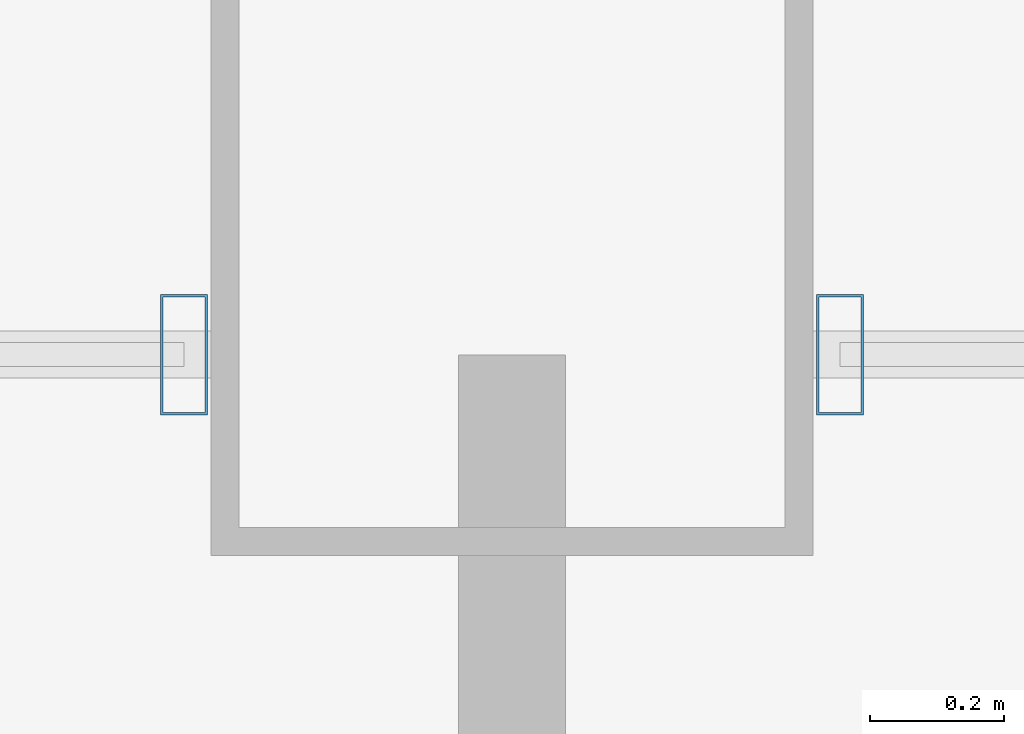
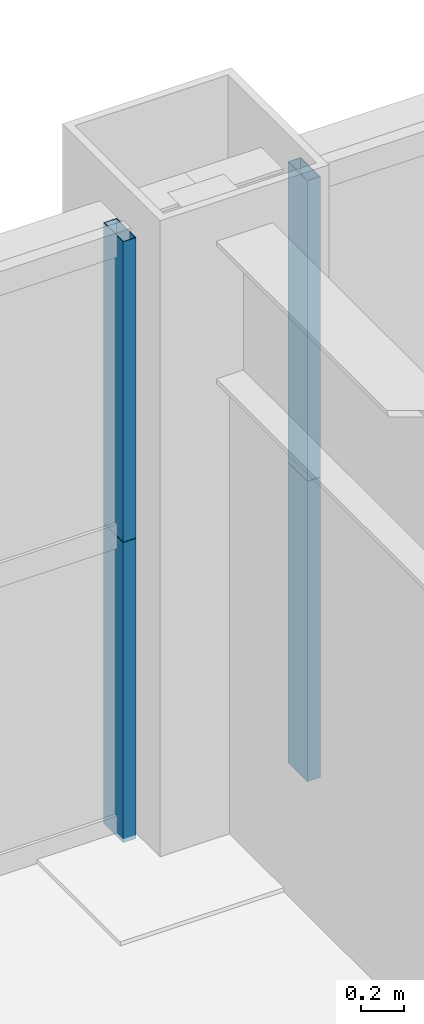
# One storey, part 29 of 45: 4 members, 2 elements without a shape of their own.
"""IFC4 building model written with IfcOpenShell, lengths in metres."""

import ifcopenshell
import ifcopenshell.guid

model = None  # the IFC model being written
_history = None  # IfcOwnerHistory: only IFC2X3 demands one
_inside = {}  # id of a spatial element -> (the spatial element, [elements in it])
_under = {}  # id of a project, library or spatial element -> (it, [spatial elements below it])
_declared = {}  # id of a project -> (the project, [libraries it declares])
_typed = {}  # id of a type object -> (the type object, [elements of that type])
_made_of = {}  # id of a material, layer set ... -> (it, [elements and type objects made of it])


def new_model(schema):
    """Start an empty IFC model of exactly this schema.

    Asked for "IFC4X3", IfcOpenShell would pick the latest addendum, in which some entities
    have other attributes; the version numbers below select the first issue.
    IFC2X3 requires an IfcOwnerHistory on every rooted entity: one is made here for all.
    """
    global model, _history
    if schema == "IFC4X3":
        model = ifcopenshell.file(schema_version=(4, 3, 0, 0))
    else:
        model = ifcopenshell.file(schema=schema)
    _inside.clear()
    _under.clear()
    _declared.clear()
    _typed.clear()
    _made_of.clear()
    _history = None
    if model.schema == "IFC2X3":
        org = make("IfcOrganization", Name="unknown")
        user = make(
            "IfcPersonAndOrganization",
            ThePerson=make("IfcPerson", FamilyName="unknown"),
            TheOrganization=org,
        )
        app = make(
            "IfcApplication",
            ApplicationDeveloper=org,
            Version="unknown",
            ApplicationFullName="unknown",
            ApplicationIdentifier="unknown",
        )
        _history = make(
            "IfcOwnerHistory",
            OwningUser=user,
            OwningApplication=app,
            ChangeAction="ADDED",
            CreationDate=0,
        )
    return model


def make(cls, **values):
    """One entity of the class cls with the attributes given. An attribute that is None is left unset."""
    return model.create_entity(
        cls, **{name: value for name, value in values.items() if value is not None}
    )


def rooted(cls, **values):
    """An entity with a GlobalId (a new one), such as an element, a storey or a relation."""
    return make(cls, GlobalId=ifcopenshell.guid.new(), OwnerHistory=_history, **values)


def si_unit(unit_type, name, prefix=None):
    """IfcSIUnit, for example si_unit("LENGTHUNIT", "METRE", prefix="MILLI")."""
    return make("IfcSIUnit", UnitType=unit_type, Prefix=prefix, Name=name)


def assignment(units):
    """IfcUnitAssignment: the units of a project."""
    return None if units is None else make("IfcUnitAssignment", Units=units)


def point(xyz):
    """IfcCartesianPoint."""
    return None if xyz is None else make("IfcCartesianPoint", Coordinates=xyz)


def direction(xyz):
    """IfcDirection."""
    return None if xyz is None else make("IfcDirection", DirectionRatios=xyz)


def frame(location, z_axis=None, x_axis=None):
    """IfcAxis2Placement3D, a coordinate frame: its origin and axes. An axis left out is left unset."""
    return make(
        "IfcAxis2Placement3D",
        Location=point(location),
        Axis=direction(z_axis),
        RefDirection=direction(x_axis),
    )


def frame_2d(location, x_axis=None):
    """IfcAxis2Placement2D, a coordinate frame in the plane: its origin and x axis."""
    return make(
        "IfcAxis2Placement2D", Location=point(location), RefDirection=direction(x_axis)
    )


def origin():
    """The frame at (0, 0, 0) with its axes left unset."""
    return frame((0.0, 0.0, 0.0))


def origin_2d():
    """The frame at (0, 0) in the plane with its x axis left unset."""
    return frame_2d((0.0, 0.0))


def place(relative_to, where):
    """IfcLocalPlacement: puts the frame where relative to a parent placement (None: the world)."""
    return make(
        "IfcLocalPlacement", PlacementRelTo=relative_to, RelativePlacement=where
    )


def context(
    kind, dimensions, precision=None, world=None, true_north=None, identifier=None
):
    """IfcGeometricRepresentationContext, for example the 3D "Model" context."""
    return make(
        "IfcGeometricRepresentationContext",
        ContextIdentifier=identifier,
        ContextType=kind,
        CoordinateSpaceDimension=dimensions,
        Precision=precision,
        WorldCoordinateSystem=world,
        TrueNorth=true_north,
    )


def subcontext(parent, identifier, kind, view, scale=None):
    """IfcGeometricRepresentationSubContext, for example "Body" below "Model"."""
    return make(
        "IfcGeometricRepresentationSubContext",
        ContextIdentifier=identifier,
        ContextType=kind,
        ParentContext=parent,
        TargetScale=scale,
        TargetView=view,
    )


def project(units=None, contexts=None):
    """IfcProject with its units and contexts."""
    return rooted(
        "IfcProject",
        Name="project",
        RepresentationContexts=contexts,
        UnitsInContext=assignment(units),
    )


def spatial(cls, under=None, at=None, **own):
    """A site, building, storey or space (cls), placed at a placement, below another one or the project."""
    s = rooted(cls, ObjectPlacement=at, **own)
    if under is not None:
        _under.setdefault(under.id(), (under, []))[1].append(s)
    return s


def profile(cls, at=None, kind="AREA", **sizes):
    """A parametric profile (cls). Its sizes go by their IFC names, for example OverallWidth=200.0."""
    return make(cls, ProfileType=kind, Position=at, **sizes)


def hollow_rectangle(**sizes):
    """IfcRectangleHollowProfileDef."""
    return profile("IfcRectangleHollowProfileDef", **sizes)


def extrude(swept, where, along, depth):
    """IfcExtrudedAreaSolid: the profile swept, set in the frame where, extruded along a direction by depth."""
    return make(
        "IfcExtrudedAreaSolid",
        SweptArea=swept,
        Position=where,
        ExtrudedDirection=direction(along),
        Depth=depth,
    )


def shape(context_of_items, identifier, shape_type, items):
    """IfcShapeRepresentation: the items that make up one representation, for example the "Body"."""
    return make(
        "IfcShapeRepresentation",
        ContextOfItems=context_of_items,
        RepresentationIdentifier=identifier,
        RepresentationType=shape_type,
        Items=items,
    )


def source(mapping_origin, context_of_items, identifier, shape_type, items):
    """IfcRepresentationMap: a shape defined once, which mapped items show again and again."""
    return make(
        "IfcRepresentationMap",
        MappingOrigin=mapping_origin,
        MappedRepresentation=shape(context_of_items, identifier, shape_type, items),
    )


def transform(
    local_origin,
    x_axis=None,
    y_axis=None,
    z_axis=None,
    scale=None,
    scale2=None,
    scale3=None,
    uniform=True,
):
    """IfcCartesianTransformationOperator3D, or its non-uniform kind. x_axis, y_axis, z_axis: its Axis1, 2, 3."""
    if uniform:
        return make(
            "IfcCartesianTransformationOperator3D",
            Axis1=direction(x_axis),
            Axis2=direction(y_axis),
            LocalOrigin=point(local_origin),
            Scale=scale,
            Axis3=direction(z_axis),
        )
    return make(
        "IfcCartesianTransformationOperator3DnonUniform",
        Axis1=direction(x_axis),
        Axis2=direction(y_axis),
        LocalOrigin=point(local_origin),
        Scale=scale,
        Axis3=direction(z_axis),
        Scale2=scale2,
        Scale3=scale3,
    )


def mapped(mapping_source, mapping_target):
    """IfcMappedItem: shows the shape of a source again, moved by a transform."""
    return make(
        "IfcMappedItem", MappingSource=mapping_source, MappingTarget=mapping_target
    )


def material(Name=None, Category=None):
    """IfcMaterial."""
    return make("IfcMaterial", Name=Name, Category=Category)


def layer(
    of_material, thickness, ventilated=None, Name=None, Category=None, Priority=None
):
    """IfcMaterialLayer: one layer of a wall or slab, of a material (None: an air gap)."""
    return make(
        "IfcMaterialLayer",
        Material=of_material,
        LayerThickness=thickness,
        IsVentilated=ventilated,
        Name=Name,
        Category=Category,
        Priority=Priority,
    )


def layer_set(layers, Name=None):
    """IfcMaterialLayerSet."""
    return make("IfcMaterialLayerSet", MaterialLayers=layers, LayerSetName=Name)


def material_profile(
    of_material, cross_section, Name=None, Category=None, Priority=None
):
    """IfcMaterialProfile: a cross section and its material."""
    return make(
        "IfcMaterialProfile",
        Name=Name,
        Material=of_material,
        Profile=cross_section,
        Priority=Priority,
        Category=Category,
    )


def profile_set(profiles, Name=None, composite=None):
    """IfcMaterialProfileSet."""
    return make(
        "IfcMaterialProfileSet",
        Name=Name,
        MaterialProfiles=profiles,
        CompositeProfile=composite,
    )


def made_of(thing, what):
    """Note that an element or type object is made of a material, layer set ...; save() writes the relation."""
    if what is not None:
        _made_of.setdefault(what.id(), (what, []))[1].append(thing)
    return thing


def type_object(cls, material=None, **own):
    """A type object (cls), such as IfcWallType, which elements share."""
    return made_of(rooted(cls, **own), material)


def element(
    cls,
    number,
    at=None,
    inside=None,
    cuts=None,
    type_object=None,
    material=None,
    context=None,
    identifier="Body",
    shape_type=None,
    held_by="IfcProductDefinitionShape",
    body=None,
    shapes=None,
    **own,
):
    """One element of the class cls, such as IfcWall. Its Tag is "e" and its number.

    at: its placement. inside: the storey or other place that contains it. cuts: it is an
    opening in that element (IfcRelVoidsElement). A single representation is given by context,
    identifier, shape_type and body (its items); several are given by shapes. held_by: the class
    of the entity that holds the representations. save() writes the other relations.
    """
    e = rooted(cls, Tag="e%d" % number, ObjectPlacement=at, **own)
    if body is not None:
        shapes = [shape(context, identifier, shape_type, body)]
    if shapes is not None:
        e.Representation = make(held_by, Representations=shapes)
    if inside is not None:
        _inside.setdefault(inside.id(), (inside, []))[1].append(e)
    if cuts is not None:
        rooted(
            "IfcRelVoidsElement", RelatingBuildingElement=cuts, RelatedOpeningElement=e
        )
    if type_object is not None:
        _typed.setdefault(type_object.id(), (type_object, []))[1].append(e)
    return made_of(e, material)


def aggregate(whole, parts):
    """IfcRelAggregates: a whole, such as a stair, and the parts it consists of."""
    return rooted("IfcRelAggregates", RelatingObject=whole, RelatedObjects=parts)


def save(model, path):
    """Write the relations noted so far, then the file.

    IfcRelAggregates (storeys below a building ...), IfcRelContainedInSpatialStructure (elements
    in a storey), IfcRelDefinesByType, IfcRelAssociatesMaterial and IfcRelDeclares: one each for
    every whole, place, type object, material and project.
    """
    for whole, parts in _under.values():
        aggregate(whole, parts)
    for where, things in _inside.values():
        rooted(
            "IfcRelContainedInSpatialStructure",
            RelatedElements=things,
            RelatingStructure=where,
        )
    for kind, things in _typed.values():
        rooted("IfcRelDefinesByType", RelatedObjects=things, RelatingType=kind)
    for what, things in _made_of.values():
        rooted("IfcRelAssociatesMaterial", RelatedObjects=things, RelatingMaterial=what)
    for by, libraries in _declared.values():
        rooted("IfcRelDeclares", RelatingContext=by, RelatedDefinitions=libraries)
    model.write(path)


model = new_model("IFC4")

# Units and contexts
model_context = context("Model", 3, precision=1e-05, world=origin(), true_north=direction((0.0, 1.0)))
body_context = subcontext(model_context, "Body", "Model", "MODEL_VIEW")
ifc_project = project(units=[si_unit("LENGTHUNIT", "METRE"), si_unit("AREAUNIT", "SQUARE_METRE"), si_unit("VOLUMEUNIT", "CUBIC_METRE"), si_unit("PLANEANGLEUNIT", "RADIAN"), si_unit("MASSUNIT", "GRAM", prefix="KILO"), si_unit("THERMODYNAMICTEMPERATUREUNIT", "KELVIN"), si_unit("POWERUNIT", "WATT")], contexts=[model_context])

# Site, building, storey
site_placement = place(None, origin())
site = spatial("IfcSite", under=ifc_project, at=site_placement, CompositionType="ELEMENT")
building_placement = place(site_placement, origin())
building = spatial("IfcBuilding", under=site, at=building_placement, Name="Yuzanri Waterfront Tower", CompositionType="ELEMENT")
storey_placement = place(building_placement, frame((0.0, 0.0, 30.60009765625)))
storey = spatial("IfcBuildingStorey", under=building, at=storey_placement, Name="L07", CompositionType="ELEMENT", Elevation=30.60009765625)

# Curtain wall, members
ifc_material_1 = material(Name="Anodized Architectural Bronze", Category="metal")
ifc_layer = layer(ifc_material_1, 0.159912109375)
ifc_layer_set = layer_set([ifc_layer], Name="Anodized Architectural Bronze")
curtain_wall_type = type_object("IfcCurtainWallType", Name="Anodized Bronze Hotel Lower-Tier Recessed Unitized Curtain Wall 8100", PredefinedType="NOTDEFINED", material=ifc_layer_set)
curtain_wall_1_placement = place(storey_placement, origin())
curtain_wall_1 = element("IfcCurtainWall", 1, at=curtain_wall_1_placement, inside=storey, type_object=curtain_wall_type, Name="L07 Curtain Wall CW-L07-NL", PredefinedType="NOTDEFINED")
ifc_material_2 = material(Name="Anodized Architectural Bronze", Category="metal")
ifc_material_profile = material_profile(ifc_material_2, hollow_rectangle(XDim=0.070068359375, YDim=0.179931640625, WallThickness=0.00390625, at=origin_2d()), Name="CWM 70x180")
ifc_profile_set = profile_set([ifc_material_profile], Name="Anodized Architectural Bronze")
member_type = type_object("IfcMemberType", Name="Anodized Bronze Standard Curtain-Wall Mullion 70x180", PredefinedType="MULLION", material=ifc_profile_set)
shared_shape = source(origin(), body_context, "Body", "SweptSolid", [
    extrude(hollow_rectangle(XDim=0.070068359375, YDim=0.179931640625, WallThickness=0.00390625, at=origin_2d()), origin(), (0.0, 0.0, 1.0), 1.68798828125),
])
member_1_placement = place(storey_placement, frame((36.510009765625, 50.75, 0.0), z_axis=(0.0, 0.0, 1.0), x_axis=(1.0, 0.0, 0.0)))
member_1 = element("IfcMember", 2, at=member_1_placement, type_object=member_type, Name="CW-L07-NL Lower Mullion 02", PredefinedType="MULLION", context=body_context, shape_type="MappedRepresentation", body=[
    mapped(shared_shape, transform((0.0, 0.0, 0.0), scale=1.0)),
])
member_2_placement = place(storey_placement, frame((36.510009765625, 50.75, 1.69189453125), z_axis=(0.0, 0.0, 1.0), x_axis=(1.0, 0.0, 0.0)))
member_2 = element("IfcMember", 3, at=member_2_placement, type_object=member_type, Name="CW-L07-NL Upper Mullion 02", PredefinedType="MULLION", context=body_context, shape_type="MappedRepresentation", body=[
    mapped(shared_shape, transform((0.0, 0.0, 0.0), scale=1.0)),
])
aggregate(curtain_wall_1, [member_1, member_2])

curtain_wall_2_placement = place(storey_placement, origin())
curtain_wall_2 = element("IfcCurtainWall", 4, at=curtain_wall_2_placement, inside=storey, type_object=curtain_wall_type, Name="L07 Curtain Wall CW-L07-NR", PredefinedType="NOTDEFINED")
member_3_placement = place(storey_placement, frame((37.489990234375, 50.75, 0.0), z_axis=(0.0, 0.0, 1.0), x_axis=(1.0, 0.0, 0.0)))
member_3 = element("IfcMember", 5, at=member_3_placement, type_object=member_type, Name="CW-L07-NR Lower Mullion 00", PredefinedType="MULLION", context=body_context, shape_type="MappedRepresentation", body=[
    mapped(shared_shape, transform((0.0, 0.0, 0.0), scale=1.0)),
])
member_4_placement = place(storey_placement, frame((37.489990234375, 50.75, 1.69189453125), z_axis=(0.0, 0.0, 1.0), x_axis=(1.0, 0.0, 0.0)))
member_4 = element("IfcMember", 6, at=member_4_placement, type_object=member_type, Name="CW-L07-NR Upper Mullion 00", PredefinedType="MULLION", context=body_context, shape_type="MappedRepresentation", body=[
    mapped(shared_shape, transform((0.0, 0.0, 0.0), scale=1.0)),
])
aggregate(curtain_wall_2, [member_3, member_4])

save(model, "model.ifc")
